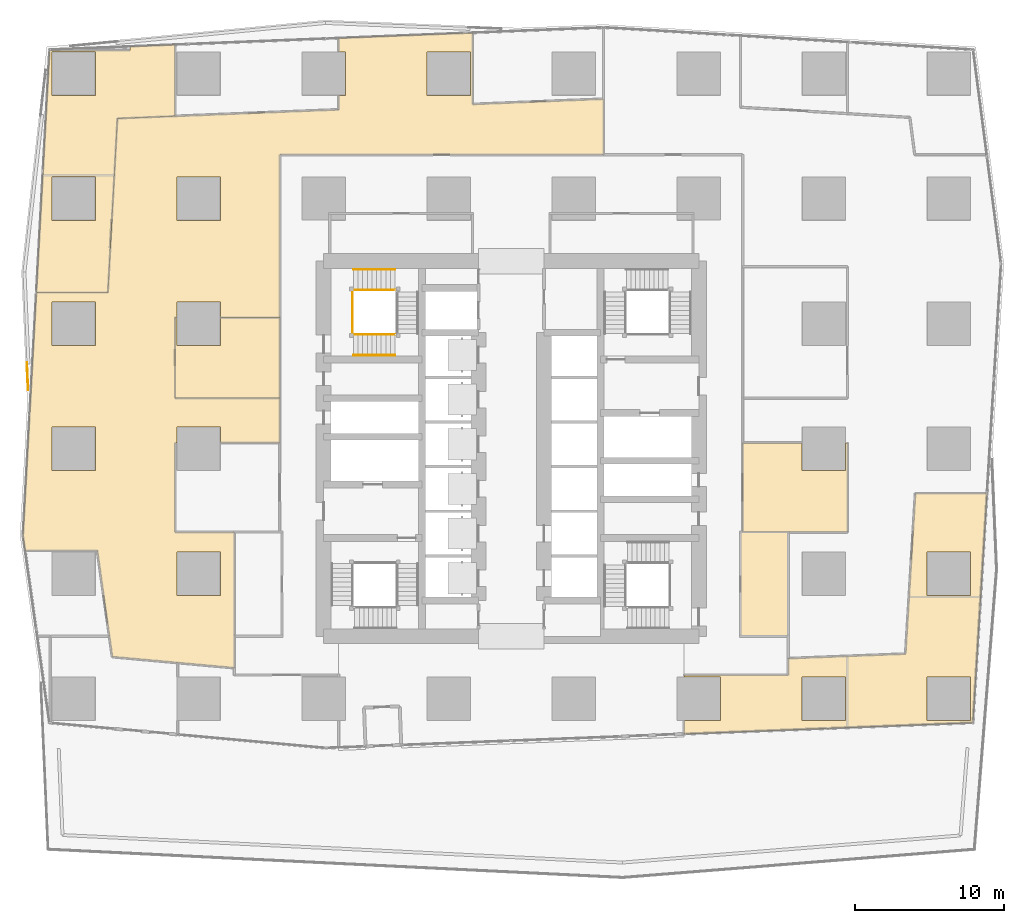
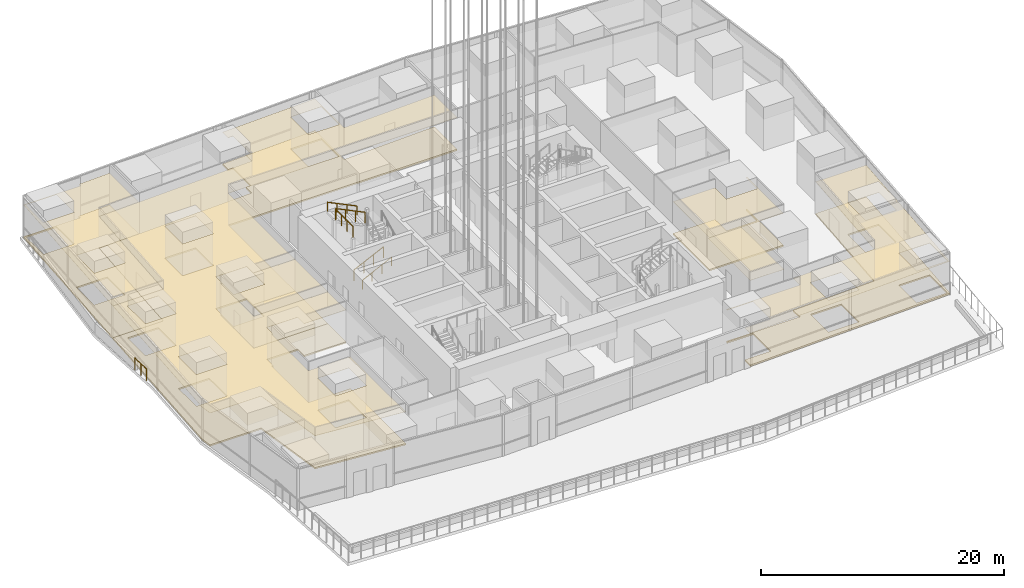
# One storey, part 27 of 44: 11 coverings, 6 railings.
"""IFC4 building model written with IfcOpenShell, lengths in metres."""

from ifc_helpers import new_model, si_unit, direction, frame, origin, origin_2d, place, context, subcontext, project, spatial, polyline, circle, outline, extrude, material, layer, layer_set, type_object, element, save


model = new_model("IFC4")

# Units and contexts
model_context = context("Model", 3, precision=1e-05, world=origin(), true_north=direction((0.0, 1.0)))
body_context = subcontext(model_context, "Body", "Model", "MODEL_VIEW")
ifc_project = project(units=[si_unit("LENGTHUNIT", "METRE"), si_unit("AREAUNIT", "SQUARE_METRE"), si_unit("VOLUMEUNIT", "CUBIC_METRE"), si_unit("PLANEANGLEUNIT", "RADIAN"), si_unit("MASSUNIT", "GRAM", prefix="KILO")], contexts=[model_context])

# Site, building, storey
site_placement = place(None, origin())
site = spatial("IfcSite", under=ifc_project, at=site_placement, CompositionType="ELEMENT")
building_placement = place(site_placement, origin())
building = spatial("IfcBuilding", under=site, at=building_placement, Name="Rekha Terrace Tower", CompositionType="ELEMENT")
storey_placement = place(building_placement, frame((0.0, 0.0, 90.800048828125)))
storey = spatial("IfcBuildingStorey", under=building, at=storey_placement, Name="L22", CompositionType="ELEMENT", Elevation=90.800048828125)

# Coverings
ifc_material_1 = material(Name="Mineral fibre tile in exposed grid", Category="finish")
ifc_layer_1 = layer(ifc_material_1, 0.02001953125)
ifc_layer_set_1 = layer_set([ifc_layer_1], Name="Mineral fibre tile in exposed grid")
covering_type_1 = type_object("IfcCoveringType", Name="CL1 600x1200 office grid ceiling", PredefinedType="CEILING", material=ifc_layer_set_1)
covering_1_placement = place(storey_placement, frame((0.0, 0.0, 3.329833984375)))
element("IfcCovering", 1, at=covering_1_placement, inside=storey, type_object=covering_type_1, Name="Ceiling L22-05", PredefinedType="CEILING", context=body_context, shape_type="SweptSolid", body=[
    extrude(outline(polyline([(56.39990234375, 19.512939453125), (56.39990234375, 18.39990234375), (49.39990234375, 18.39990234375), (49.39990234375, 18.264892578125), (51.864990234375, 18.264892578125), (51.864990234375, 15.3349609375), (49.39990234375, 15.3349609375), (49.39990234375, 14.43701171875), (60.361083984375, 14.864013671875), (63.4140625, 14.98291015625), (68.81103515625, 15.193115234375), (68.81396484375, 15.238037109375), (69.327880859375, 23.635986328125), (69.7548828125, 30.596923828125), (64.946044921875, 30.596923828125), (64.51904296875, 23.633056640625), (64.285888671875, 19.820068359375), (60.364013671875, 19.66796875), (56.39990234375, 19.512939453125)]), holes=[polyline([(68.6650390625, 15.3349609375), (65.735107421875, 15.3349609375), (65.735107421875, 18.264892578125), (68.6650390625, 18.264892578125), (68.6650390625, 15.3349609375)]), polyline([(68.6650390625, 23.735107421875), (65.735107421875, 23.735107421875), (65.735107421875, 26.6650390625), (68.6650390625, 26.6650390625), (68.6650390625, 23.735107421875)]), polyline([(60.264892578125, 15.3349609375), (57.3349609375, 15.3349609375), (57.3349609375, 18.264892578125), (60.264892578125, 18.264892578125), (60.264892578125, 15.3349609375)])]), origin(), (0.0, 0.0, 1.0), 0.02001953125),
])
covering_2_placement = place(storey_placement, frame((0.0, 0.0, 3.329833984375)))
element("IfcCovering", 2, at=covering_2_placement, inside=storey, type_object=covering_type_1, Name="Ceiling L22-07", PredefinedType="CEILING", context=body_context, shape_type="SweptSolid", body=[
    extrude(outline(polyline([(57.3349609375, 32.135009765625), (57.3349609375, 34.0), (53.35009765625, 34.0), (53.35009765625, 28.0), (60.385986328125, 28.0), (60.385986328125, 34.0), (60.264892578125, 34.0), (60.264892578125, 32.135009765625), (57.3349609375, 32.135009765625)])), origin(), (0.0, 0.0, 1.0), 0.02001953125),
])
covering_3_placement = place(storey_placement, frame((0.0, 0.0, 3.329833984375)))
element("IfcCovering", 3, at=covering_3_placement, inside=storey, type_object=covering_type_1, Name="Ceiling L22-12", PredefinedType="CEILING", context=body_context, shape_type="SweptSolid", body=[
    extrude(outline(polyline([(12.18701171875, 60.623046875), (12.18701171875, 60.362060546875), (6.7880859375, 60.362060546875), (6.327880859375, 51.97705078125), (5.89599609375, 44.093017578125), (10.702880859375, 44.093017578125), (11.135009765625, 51.97802734375), (11.343994140625, 55.785888671875), (15.215087890625, 55.94091796875), (15.215087890625, 60.7451171875), (12.18701171875, 60.623046875)]), holes=[polyline([(9.864990234375, 51.864990234375), (9.864990234375, 48.93505859375), (6.93505859375, 48.93505859375), (6.93505859375, 51.864990234375), (9.864990234375, 51.864990234375)]), polyline([(9.864990234375, 60.264892578125), (9.864990234375, 57.3349609375), (6.93505859375, 57.3349609375), (6.93505859375, 60.264892578125), (9.864990234375, 60.264892578125)])]), origin(), (0.0, 0.0, 1.0), 0.02001953125),
])
covering_4_placement = place(storey_placement, frame((0.0, 0.0, 3.329833984375)))
element("IfcCovering", 4, at=covering_4_placement, inside=storey, type_object=covering_type_1, Name="Ceiling L22-17", PredefinedType="CEILING", context=body_context, shape_type="SweptSolid", body=[
    extrude(outline(polyline([(15.3349609375, 42.39990234375), (15.215087890625, 42.39990234375), (15.215087890625, 37.0), (22.25, 37.0), (22.25, 42.39990234375), (18.264892578125, 42.39990234375), (18.264892578125, 40.534912109375), (15.3349609375, 40.534912109375), (15.3349609375, 42.39990234375)])), origin(), (0.0, 0.0, 1.0), 0.02001953125),
])
covering_5_placement = place(storey_placement, frame((0.0, 0.0, 3.329833984375)))
element("IfcCovering", 5, at=covering_5_placement, inside=storey, type_object=covering_type_1, Name="Ceiling L22-O2", PredefinedType="CEILING", context=body_context, shape_type="SweptSolid", body=[
    extrude(outline(polyline([(11.343994140625, 55.785888671875), (11.135009765625, 51.97607421875), (10.702880859375, 44.092041015625), (5.89599609375, 44.092041015625), (5.0009765625, 27.77587890625), (5.14404296875, 26.761962890625), (9.990966796875, 26.761962890625), (10.803955078125, 20.992919921875), (10.998046875, 19.62109375), (15.39794921875, 19.221923828125), (15.39794921875, 19.220947265625), (19.199951171875, 18.8759765625), (19.199951171875, 28.0), (15.215087890625, 28.0), (15.215087890625, 34.0), (15.3349609375, 34.0), (15.3349609375, 35.06494140625), (18.264892578125, 35.06494140625), (18.264892578125, 34.0), (22.25, 34.0), (22.25, 37.0), (15.215087890625, 37.0), (15.215087890625, 42.39990234375), (15.3349609375, 42.39990234375), (15.3349609375, 43.465087890625), (18.264892578125, 43.465087890625), (18.264892578125, 42.39990234375), (22.25, 42.39990234375), (22.25, 53.35009765625), (43.992919921875, 53.35009765625), (43.992919921875, 57.093994140625), (35.199951171875, 56.741943359375), (35.199951171875, 61.5458984375), (26.200927734375, 61.18505859375), (26.200927734375, 60.264892578125), (26.6650390625, 60.264892578125), (26.6650390625, 57.3349609375), (26.200927734375, 57.3349609375), (26.200927734375, 56.381103515625), (15.199951171875, 55.93994140625), (11.343994140625, 55.785888671875)]), holes=[polyline([(35.06494140625, 57.3349609375), (32.135009765625, 57.3349609375), (32.135009765625, 60.264892578125), (35.06494140625, 60.264892578125), (35.06494140625, 57.3349609375)]), polyline([(18.264892578125, 26.6650390625), (18.264892578125, 23.735107421875), (15.3349609375, 23.735107421875), (15.3349609375, 26.6650390625), (18.264892578125, 26.6650390625)]), polyline([(18.264892578125, 48.93505859375), (15.3349609375, 48.93505859375), (15.3349609375, 51.864990234375), (18.264892578125, 51.864990234375), (18.264892578125, 48.93505859375)]), polyline([(9.864990234375, 32.135009765625), (6.93505859375, 32.135009765625), (6.93505859375, 35.06494140625), (9.864990234375, 35.06494140625), (9.864990234375, 32.135009765625)]), polyline([(9.864990234375, 40.534912109375), (6.93505859375, 40.534912109375), (6.93505859375, 43.465087890625), (9.864990234375, 43.465087890625), (9.864990234375, 40.534912109375)])]), origin(), (0.0, 0.0, 1.0), 0.02001953125),
])
ifc_material_2 = material(Name="Fibre cement board", Category="finish")
ifc_layer_2 = layer(ifc_material_2, 0.014892578125)
ifc_layer_set_2 = layer_set([ifc_layer_2], Name="Fibre cement board")
covering_type_2 = type_object("IfcCoveringType", Name="CL2 moisture-resistant board ceiling", PredefinedType="CEILING", material=ifc_layer_set_2)
covering_6_placement = place(storey_placement, frame((0.0, 0.0, 3.3349609375)))
element("IfcCovering", 6, at=covering_6_placement, inside=storey, type_object=covering_type_2, Name="Ceiling L22-WCM2", PredefinedType="CEILING", context=body_context, shape_type="SweptSolid", body=[
    extrude(outline(polyline([(56.39990234375, 28.0), (53.199951171875, 28.0), (53.199951171875, 21.0), (56.39990234375, 21.0), (56.39990234375, 28.0)])), origin(), (0.0, 0.0, 1.0), 0.014892578125),
])

# Railings
ifc_material_3 = material(Name="Stainless steel balustrade", Category="steel")
railing_type_1 = type_object("IfcRailingType", Name="GR1 1100 stair guard", PredefinedType="GUARDRAIL", material=ifc_material_3)
railing_1_placement = place(storey_placement, frame((27.199951171875, 41.264892578125, 0.14990234375)))
element("IfcRailing", 7, at=railing_1_placement, inside=storey, type_object=railing_type_1, Name="Guard ST4 L22 flight 1", PredefinedType="GUARDRAIL", context=body_context, shape_type="SweptSolid", body=[
    extrude(circle(Radius=0.02392578125, at=origin_2d()), frame((0.0, 0.0, 1.076171875), z_axis=(0.90014928908, 0.0, 0.43558151633), x_axis=(0.0, 1.0, 0.0)), (0.0, 0.0, 1.0), 3.099609375),
    extrude(circle(Radius=0.02099609375, at=origin_2d()), origin(), (0.0, 0.0, 1.0), 1.052001953125),
    extrude(circle(Radius=0.02099609375, at=origin_2d()), frame((0.929931640625, 0.0, 0.449951171875)), (0.0, 0.0, 1.0), 1.052001953125),
    extrude(circle(Radius=0.02099609375, at=origin_2d()), frame((1.860107421875, 0.0, 0.900146484375)), (0.0, 0.0, 1.0), 1.052001953125),
    extrude(circle(Radius=0.02099609375, at=origin_2d()), frame((2.7900390625, 0.0, 1.35009765625)), (0.0, 0.0, 1.0), 1.052001953125),
])
railing_2_placement = place(storey_placement, frame((29.989990234375, 44.260009765625, 3.14990234375)))
element("IfcRailing", 8, at=railing_2_placement, inside=storey, type_object=railing_type_1, Name="Guard ST4 L22 flight 3", PredefinedType="GUARDRAIL", context=body_context, shape_type="SweptSolid", body=[
    extrude(circle(Radius=0.02392578125, at=origin_2d()), frame((0.0, 0.0, 1.076171875), z_axis=(-0.90014928908, 0.0, 0.43558151633), x_axis=(0.0, -1.0, 0.0)), (0.0, 0.0, 1.0), 3.099609375),
    extrude(circle(Radius=0.02099609375, at=origin_2d()), origin(), (0.0, 0.0, 1.0), 1.052001953125),
    extrude(circle(Radius=0.02099609375, at=origin_2d()), frame((-0.929931640625, 0.0, 0.449951171875)), (0.0, 0.0, 1.0), 1.052001953125),
    extrude(circle(Radius=0.02099609375, at=origin_2d()), frame((-1.860107421875, 0.0, 0.900146484375)), (0.0, 0.0, 1.0), 1.052001953125),
    extrude(circle(Radius=0.02099609375, at=origin_2d()), frame((-2.7900390625, 0.0, 1.35009765625)), (0.0, 0.0, 1.0), 1.052001953125),
])
railing_3_placement = place(storey_placement, frame((27.139892578125, 41.324951171875, 4.5)))
element("IfcRailing", 9, at=railing_3_placement, inside=storey, type_object=railing_type_1, Name="Guard ST4 L22 landing 4", PredefinedType="GUARDRAIL", context=body_context, shape_type="SweptSolid", body=[
    extrude(circle(Radius=0.02392578125, at=origin_2d()), frame((0.0, 0.0, 1.076171875), z_axis=(0.0, 1.0, 0.0), x_axis=(-1.0, 0.0, 0.0)), (0.0, 0.0, 1.0), 2.875),
    extrude(circle(Radius=0.02099609375, at=origin_2d()), origin(), (0.0, 0.0, 1.0), 1.052001953125),
    extrude(circle(Radius=0.02099609375, at=origin_2d()), frame((0.0, 0.958251953125, 0.0)), (0.0, 0.0, 1.0), 1.052001953125),
    extrude(circle(Radius=0.02099609375, at=origin_2d()), frame((0.0, 1.916748046875, 0.0)), (0.0, 0.0, 1.0), 1.052001953125),
    extrude(circle(Radius=0.02099609375, at=origin_2d()), frame((0.0, 2.875, 0.0)), (0.0, 0.0, 1.0), 1.052001953125),
])
ifc_material_4 = material(Name="Steel guard with vertical balusters", Category="steel")
railing_type_2 = type_object("IfcRailingType", Name="GR2 refuge area guard 1200", PredefinedType="GUARDRAIL", material=ifc_material_4)
railing_4_placement = place(storey_placement, frame((5.266845703125, 39.3779296875, 0.0)))
element("IfcRailing", 10, at=railing_4_placement, inside=storey, type_object=railing_type_2, Name="Ledge corner guard", PredefinedType="GUARDRAIL", context=body_context, shape_type="SweptSolid", body=[
    extrude(circle(Radius=0.02392578125, at=origin_2d()), frame((0.0, 0.0, 1.17578125), z_axis=(0.043756604113, -0.999042221128, 0.0), x_axis=(0.999042221128, 0.043756604113, 0.0)), (0.0, 0.0, 1.0), 1.824462890625),
    extrude(circle(Radius=0.02099609375, at=origin_2d()), origin(), (0.0, 0.0, 1.0), 1.15185546875),
    extrude(circle(Radius=0.02099609375, at=origin_2d()), frame((0.0400390625, -0.911376953125, 0.0)), (0.0, 0.0, 1.0), 1.15185546875),
    extrude(circle(Radius=0.02099609375, at=origin_2d()), frame((0.079833984375, -1.82275390625, 0.0)), (0.0, 0.0, 1.0), 1.15185546875),
])
ifc_material_5 = material(Name="Stainless steel tube", Category="steel")
railing_type_3 = type_object("IfcRailingType", Name="HR1 900 stair handrail", PredefinedType="HANDRAIL", material=ifc_material_5)
railing_5_placement = place(storey_placement, frame((27.199951171875, 39.885009765625, 0.14990234375)))
element("IfcRailing", 11, at=railing_5_placement, inside=storey, type_object=railing_type_3, Name="Handrail ST4 L22 flight 1", PredefinedType="HANDRAIL", context=body_context, shape_type="SweptSolid", body=[
    extrude(circle(Radius=0.02392578125, at=origin_2d()), frame((0.0, 0.0, 0.8759765625), z_axis=(0.90014928908, 0.0, 0.43558151633), x_axis=(0.0, 1.0, 0.0)), (0.0, 0.0, 1.0), 3.099609375),
    extrude(circle(Radius=0.02099609375, at=origin_2d()), origin(), (0.0, 0.0, 1.0), 0.851806640625),
    extrude(circle(Radius=0.02099609375, at=origin_2d()), frame((0.929931640625, 0.0, 0.449951171875)), (0.0, 0.0, 1.0), 0.851806640625),
    extrude(circle(Radius=0.02099609375, at=origin_2d()), frame((1.860107421875, 0.0, 0.900146484375)), (0.0, 0.0, 1.0), 0.851806640625),
    extrude(circle(Radius=0.02099609375, at=origin_2d()), frame((2.7900390625, 0.0, 1.35009765625)), (0.0, 0.0, 1.0), 0.851806640625),
])
railing_6_placement = place(storey_placement, frame((29.989990234375, 45.639892578125, 3.14990234375)))
element("IfcRailing", 12, at=railing_6_placement, inside=storey, type_object=railing_type_3, Name="Handrail ST4 L22 flight 3", PredefinedType="HANDRAIL", context=body_context, shape_type="SweptSolid", body=[
    extrude(circle(Radius=0.02392578125, at=origin_2d()), frame((0.0, 0.0, 0.8759765625), z_axis=(-0.90014928908, 0.0, 0.43558151633), x_axis=(0.0, -1.0, 0.0)), (0.0, 0.0, 1.0), 3.099609375),
    extrude(circle(Radius=0.02099609375, at=origin_2d()), origin(), (0.0, 0.0, 1.0), 0.851806640625),
    extrude(circle(Radius=0.02099609375, at=origin_2d()), frame((-0.929931640625, 0.0, 0.449951171875)), (0.0, 0.0, 1.0), 0.851806640625),
    extrude(circle(Radius=0.02099609375, at=origin_2d()), frame((-1.860107421875, 0.0, 0.900146484375)), (0.0, 0.0, 1.0), 0.851806640625),
    extrude(circle(Radius=0.02099609375, at=origin_2d()), frame((-2.7900390625, 0.0, 1.35009765625)), (0.0, 0.0, 1.0), 0.851806640625),
])

# Coverings
ifc_material_6 = material(Name="Calcium sulphate panels on steel pedestals", Category="steel")
ifc_layer_3 = layer(ifc_material_6, 0.14990234375)
ifc_layer_set_3 = layer_set([ifc_layer_3], Name="Calcium sulphate panels on steel pedestals")
covering_type_3 = type_object("IfcCoveringType", Name="RF1 150 raised access floor", PredefinedType="FLOORING", material=ifc_layer_set_3)
covering_7_placement = place(storey_placement, origin())
element("IfcCovering", 13, at=covering_7_placement, inside=storey, type_object=covering_type_3, Name="Raised floor L22-05", PredefinedType="FLOORING", context=body_context, shape_type="SweptSolid", body=[
    extrude(outline(polyline([(56.39990234375, 19.512939453125), (56.39990234375, 18.39990234375), (49.39990234375, 18.39990234375), (49.39990234375, 18.264892578125), (51.864990234375, 18.264892578125), (51.864990234375, 15.3349609375), (49.39990234375, 15.3349609375), (49.39990234375, 14.43701171875), (60.361083984375, 14.864013671875), (63.4140625, 14.98291015625), (68.81103515625, 15.193115234375), (68.81396484375, 15.238037109375), (69.327880859375, 23.635986328125), (69.7548828125, 30.596923828125), (64.946044921875, 30.596923828125), (64.51904296875, 23.633056640625), (64.285888671875, 19.820068359375), (60.364013671875, 19.66796875), (56.39990234375, 19.512939453125)]), holes=[polyline([(68.6650390625, 15.3349609375), (65.735107421875, 15.3349609375), (65.735107421875, 18.264892578125), (68.6650390625, 18.264892578125), (68.6650390625, 15.3349609375)]), polyline([(68.6650390625, 23.735107421875), (65.735107421875, 23.735107421875), (65.735107421875, 26.6650390625), (68.6650390625, 26.6650390625), (68.6650390625, 23.735107421875)]), polyline([(60.264892578125, 15.3349609375), (57.3349609375, 15.3349609375), (57.3349609375, 18.264892578125), (60.264892578125, 18.264892578125), (60.264892578125, 15.3349609375)])]), origin(), (0.0, 0.0, 1.0), 0.14990234375),
])
covering_8_placement = place(storey_placement, origin())
element("IfcCovering", 14, at=covering_8_placement, inside=storey, type_object=covering_type_3, Name="Raised floor L22-07", PredefinedType="FLOORING", context=body_context, shape_type="SweptSolid", body=[
    extrude(outline(polyline([(57.3349609375, 32.135009765625), (57.3349609375, 34.0), (53.35009765625, 34.0), (53.35009765625, 28.0), (60.385986328125, 28.0), (60.385986328125, 34.0), (60.264892578125, 34.0), (60.264892578125, 32.135009765625), (57.3349609375, 32.135009765625)])), origin(), (0.0, 0.0, 1.0), 0.14990234375),
])
covering_9_placement = place(storey_placement, origin())
element("IfcCovering", 15, at=covering_9_placement, inside=storey, type_object=covering_type_3, Name="Raised floor L22-12", PredefinedType="FLOORING", context=body_context, shape_type="SweptSolid", body=[
    extrude(outline(polyline([(12.18701171875, 60.623046875), (12.18701171875, 60.362060546875), (6.7880859375, 60.362060546875), (6.327880859375, 51.97705078125), (5.89599609375, 44.093017578125), (10.702880859375, 44.093017578125), (11.135009765625, 51.97802734375), (11.343994140625, 55.785888671875), (15.215087890625, 55.94091796875), (15.215087890625, 60.7451171875), (12.18701171875, 60.623046875)]), holes=[polyline([(9.864990234375, 51.864990234375), (9.864990234375, 48.93505859375), (6.93505859375, 48.93505859375), (6.93505859375, 51.864990234375), (9.864990234375, 51.864990234375)]), polyline([(9.864990234375, 60.264892578125), (9.864990234375, 57.3349609375), (6.93505859375, 57.3349609375), (6.93505859375, 60.264892578125), (9.864990234375, 60.264892578125)])]), origin(), (0.0, 0.0, 1.0), 0.14990234375),
])
covering_10_placement = place(storey_placement, origin())
element("IfcCovering", 16, at=covering_10_placement, inside=storey, type_object=covering_type_3, Name="Raised floor L22-17", PredefinedType="FLOORING", context=body_context, shape_type="SweptSolid", body=[
    extrude(outline(polyline([(15.3349609375, 42.39990234375), (15.215087890625, 42.39990234375), (15.215087890625, 37.0), (22.25, 37.0), (22.25, 42.39990234375), (18.264892578125, 42.39990234375), (18.264892578125, 40.534912109375), (15.3349609375, 40.534912109375), (15.3349609375, 42.39990234375)])), origin(), (0.0, 0.0, 1.0), 0.14990234375),
])
covering_11_placement = place(storey_placement, origin())
element("IfcCovering", 17, at=covering_11_placement, inside=storey, type_object=covering_type_3, Name="Raised floor L22-O2", PredefinedType="FLOORING", context=body_context, shape_type="SweptSolid", body=[
    extrude(outline(polyline([(11.343994140625, 55.785888671875), (11.135009765625, 51.97607421875), (10.702880859375, 44.092041015625), (5.89599609375, 44.092041015625), (5.0009765625, 27.77587890625), (5.14404296875, 26.761962890625), (9.990966796875, 26.761962890625), (10.803955078125, 20.992919921875), (10.998046875, 19.62109375), (15.39794921875, 19.221923828125), (15.39794921875, 19.220947265625), (19.199951171875, 18.8759765625), (19.199951171875, 28.0), (15.215087890625, 28.0), (15.215087890625, 34.0), (15.3349609375, 34.0), (15.3349609375, 35.06494140625), (18.264892578125, 35.06494140625), (18.264892578125, 34.0), (22.25, 34.0), (22.25, 37.0), (15.215087890625, 37.0), (15.215087890625, 42.39990234375), (15.3349609375, 42.39990234375), (15.3349609375, 43.465087890625), (18.264892578125, 43.465087890625), (18.264892578125, 42.39990234375), (22.25, 42.39990234375), (22.25, 53.35009765625), (43.992919921875, 53.35009765625), (43.992919921875, 57.093994140625), (35.199951171875, 56.741943359375), (35.199951171875, 61.5458984375), (26.200927734375, 61.18505859375), (26.200927734375, 60.264892578125), (26.6650390625, 60.264892578125), (26.6650390625, 57.3349609375), (26.200927734375, 57.3349609375), (26.200927734375, 56.381103515625), (15.199951171875, 55.93994140625), (11.343994140625, 55.785888671875)]), holes=[polyline([(35.06494140625, 57.3349609375), (32.135009765625, 57.3349609375), (32.135009765625, 60.264892578125), (35.06494140625, 60.264892578125), (35.06494140625, 57.3349609375)]), polyline([(18.264892578125, 26.6650390625), (18.264892578125, 23.735107421875), (15.3349609375, 23.735107421875), (15.3349609375, 26.6650390625), (18.264892578125, 26.6650390625)]), polyline([(18.264892578125, 48.93505859375), (15.3349609375, 48.93505859375), (15.3349609375, 51.864990234375), (18.264892578125, 51.864990234375), (18.264892578125, 48.93505859375)]), polyline([(9.864990234375, 32.135009765625), (6.93505859375, 32.135009765625), (6.93505859375, 35.06494140625), (9.864990234375, 35.06494140625), (9.864990234375, 32.135009765625)]), polyline([(9.864990234375, 40.534912109375), (6.93505859375, 40.534912109375), (6.93505859375, 43.465087890625), (9.864990234375, 43.465087890625), (9.864990234375, 40.534912109375)])]), origin(), (0.0, 0.0, 1.0), 0.14990234375),
])

save(model, "model.ifc")
